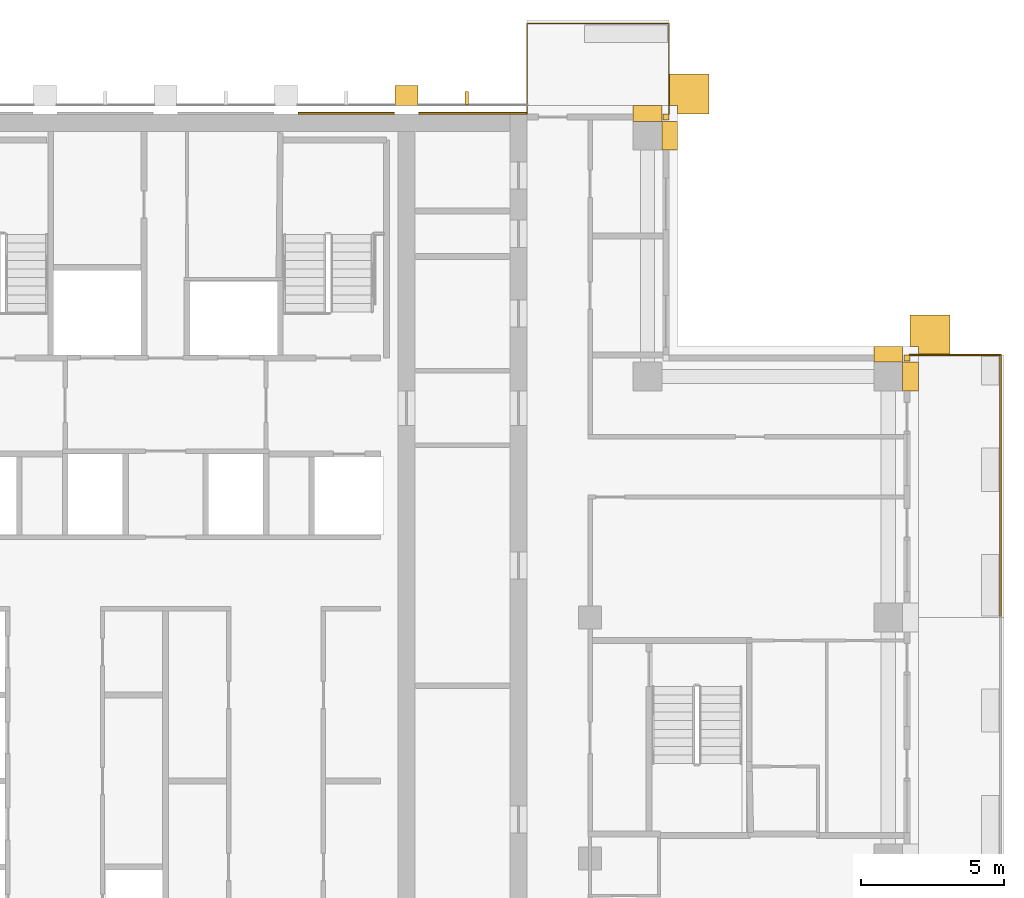
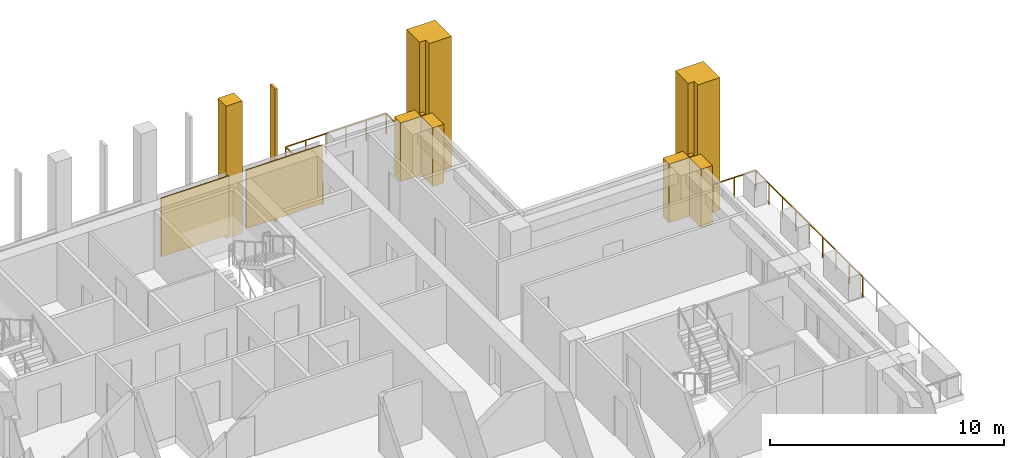
# One storey, part 17 of 17: 12 coverings, 2 railings.
"""IFC4 building model written with IfcOpenShell, lengths in metres."""

from ifc_helpers import new_model, si_unit, direction, frame, origin, origin_2d, place, context, subcontext, project, spatial, polyline, rectangle, outline, extrude, material, layer, layer_set, type_object, element, save


model = new_model("IFC4")

# Units and contexts
model_context = context("Model", 3, precision=1e-05, world=origin(), true_north=direction((0.0, 1.0)))
body_context = subcontext(model_context, "Body", "Model", "MODEL_VIEW")
ifc_project = project(units=[si_unit("LENGTHUNIT", "METRE"), si_unit("AREAUNIT", "SQUARE_METRE"), si_unit("VOLUMEUNIT", "CUBIC_METRE"), si_unit("PLANEANGLEUNIT", "RADIAN"), si_unit("MASSUNIT", "GRAM", prefix="KILO")], contexts=[model_context])

# Site, building, storey
site_placement = place(None, origin())
site = spatial("IfcSite", under=ifc_project, at=site_placement, CompositionType="ELEMENT")
building_placement = place(site_placement, origin())
building = spatial("IfcBuilding", under=site, at=building_placement, Name="Vermilion Ogive Tower", CompositionType="ELEMENT")
storey_placement = place(building_placement, frame((0.0, 0.0, 192.800048828125)))
storey = spatial("IfcBuildingStorey", under=building, at=storey_placement, Name="L50", CompositionType="ELEMENT", Elevation=192.800048828125)

# Railings
ifc_material_1 = material(Name="Stainless steel and glass", Category="steel")
railing_type = type_object("IfcRailingType", Name="Balcony guard", PredefinedType="GUARDRAIL", material=ifc_material_1)
railing_1_placement = place(storey_placement, frame((29.110107421875, 4.199951171875, -0.0400390625)))
element("IfcRailing", 1, at=railing_1_placement, inside=storey, type_object=railing_type, Name="Guard E03", PredefinedType="GUARDRAIL", context=body_context, shape_type="SweptSolid", body=[
    extrude(rectangle(XDim=0.048095703125, YDim=0.048095703125, at=origin_2d()), frame((0.0, 0.0, 1.076171875), z_axis=(0.0, 1.0, 0.0), x_axis=(-1.0, 0.0, 0.0)), (0.0, 0.0, 1.0), 9.150146484375),
    extrude(rectangle(XDim=0.048095703125, YDim=0.048095703125, at=origin_2d()), frame((0.0, 9.150146484375, 1.076171875), z_axis=(-1.0, 0.0, 0.0), x_axis=(0.0, -1.0, 0.0)), (0.0, 0.0, 1.0), 3.16015625),
    extrude(rectangle(XDim=0.0419921875, YDim=0.0419921875, at=origin_2d()), origin(), (0.0, 0.0, 1.0), 1.052001953125),
    extrude(rectangle(XDim=0.0419921875, YDim=0.0419921875, at=origin_2d()), frame((0.0, 1.143798828125, 0.0)), (0.0, 0.0, 1.0), 1.052001953125),
    extrude(rectangle(XDim=0.0419921875, YDim=0.0419921875, at=origin_2d()), frame((0.0, 2.28759765625, 0.0)), (0.0, 0.0, 1.0), 1.052001953125),
    extrude(rectangle(XDim=0.0419921875, YDim=0.0419921875, at=origin_2d()), frame((0.0, 3.431396484375, 0.0)), (0.0, 0.0, 1.0), 1.052001953125),
    extrude(rectangle(XDim=0.0419921875, YDim=0.0419921875, at=origin_2d()), frame((0.0, 4.5751953125, 0.0)), (0.0, 0.0, 1.0), 1.052001953125),
    extrude(rectangle(XDim=0.0419921875, YDim=0.0419921875, at=origin_2d()), frame((0.0, 5.71875, 0.0)), (0.0, 0.0, 1.0), 1.052001953125),
    extrude(rectangle(XDim=0.0419921875, YDim=0.0419921875, at=origin_2d()), frame((0.0, 6.862548828125, 0.0)), (0.0, 0.0, 1.0), 1.052001953125),
    extrude(rectangle(XDim=0.0419921875, YDim=0.0419921875, at=origin_2d()), frame((0.0, 8.00634765625, 0.0)), (0.0, 0.0, 1.0), 1.052001953125),
    extrude(rectangle(XDim=0.0419921875, YDim=0.0419921875, at=origin_2d()), frame((0.0, 9.150146484375, 0.0)), (0.0, 0.0, 1.0), 1.052001953125),
    extrude(rectangle(XDim=0.0419921875, YDim=0.0419921875, at=origin_2d()), frame((-1.053466796875, 9.150146484375, 0.0)), (0.0, 0.0, 1.0), 1.052001953125),
    extrude(rectangle(XDim=0.0419921875, YDim=0.0419921875, at=origin_2d()), frame((-2.106689453125, 9.150146484375, 0.0)), (0.0, 0.0, 1.0), 1.052001953125),
    extrude(rectangle(XDim=0.0419921875, YDim=0.0419921875, at=origin_2d()), frame((-3.16015625, 9.150146484375, 0.0)), (0.0, 0.0, 1.0), 1.052001953125),
])
railing_2_placement = place(storey_placement, frame((17.550048828125, 21.75, -0.0400390625)))
element("IfcRailing", 2, at=railing_2_placement, inside=storey, type_object=railing_type, Name="Guard N101", PredefinedType="GUARDRAIL", context=body_context, shape_type="SweptSolid", body=[
    extrude(rectangle(XDim=0.048095703125, YDim=0.048095703125, at=origin_2d()), frame((0.0, 0.0, 1.076171875), z_axis=(0.0, 1.0, 0.0), x_axis=(-1.0, 0.0, 0.0)), (0.0, 0.0, 1.0), 3.159912109375),
    extrude(rectangle(XDim=0.048095703125, YDim=0.048095703125, at=origin_2d()), frame((0.0, 3.159912109375, 1.076171875), z_axis=(-1.0, 0.0, 0.0), x_axis=(0.0, -1.0, 0.0)), (0.0, 0.0, 1.0), 4.949951171875),
    extrude(rectangle(XDim=0.048095703125, YDim=0.048095703125, at=origin_2d()), frame((-4.949951171875, 3.159912109375, 1.076171875), z_axis=(0.0, -1.0, 0.0), x_axis=(1.0, 0.0, 0.0)), (0.0, 0.0, 1.0), 3.159912109375),
    extrude(rectangle(XDim=0.0419921875, YDim=0.0419921875, at=origin_2d()), origin(), (0.0, 0.0, 1.0), 1.052001953125),
    extrude(rectangle(XDim=0.0419921875, YDim=0.0419921875, at=origin_2d()), frame((0.0, 1.05322265625, 0.0)), (0.0, 0.0, 1.0), 1.052001953125),
    extrude(rectangle(XDim=0.0419921875, YDim=0.0419921875, at=origin_2d()), frame((0.0, 2.106689453125, 0.0)), (0.0, 0.0, 1.0), 1.052001953125),
    extrude(rectangle(XDim=0.0419921875, YDim=0.0419921875, at=origin_2d()), frame((0.0, 3.159912109375, 0.0)), (0.0, 0.0, 1.0), 1.052001953125),
    extrude(rectangle(XDim=0.0419921875, YDim=0.0419921875, at=origin_2d()), frame((-0.989990234375, 3.159912109375, 0.0)), (0.0, 0.0, 1.0), 1.052001953125),
    extrude(rectangle(XDim=0.0419921875, YDim=0.0419921875, at=origin_2d()), frame((-1.97998046875, 3.159912109375, 0.0)), (0.0, 0.0, 1.0), 1.052001953125),
    extrude(rectangle(XDim=0.0419921875, YDim=0.0419921875, at=origin_2d()), frame((-2.969970703125, 3.159912109375, 0.0)), (0.0, 0.0, 1.0), 1.052001953125),
    extrude(rectangle(XDim=0.0419921875, YDim=0.0419921875, at=origin_2d()), frame((-3.9599609375, 3.159912109375, 0.0)), (0.0, 0.0, 1.0), 1.052001953125),
    extrude(rectangle(XDim=0.0419921875, YDim=0.0419921875, at=origin_2d()), frame((-4.949951171875, 3.159912109375, 0.0)), (0.0, 0.0, 1.0), 1.052001953125),
    extrude(rectangle(XDim=0.0419921875, YDim=0.0419921875, at=origin_2d()), frame((-4.949951171875, 2.106689453125, 0.0)), (0.0, 0.0, 1.0), 1.052001953125),
    extrude(rectangle(XDim=0.0419921875, YDim=0.0419921875, at=origin_2d()), frame((-4.949951171875, 1.05322265625, 0.0)), (0.0, 0.0, 1.0), 1.052001953125),
    extrude(rectangle(XDim=0.0419921875, YDim=0.0419921875, at=origin_2d()), frame((-4.949951171875, 0.0, 0.0)), (0.0, 0.0, 1.0), 1.052001953125),
])

# Coverings
ifc_material_2 = material(Name="Glazed ceramic screen")
ifc_layer = layer(ifc_material_2, 0.14990234375)
ifc_layer_set = layer_set([ifc_layer], Name="Ceramic solar screen fin")
covering_type_1 = type_object("IfcCoveringType", Name="Ceramic solar screen fin", PredefinedType="CLADDING", material=ifc_layer_set)
covering_1_placement = place(storey_placement, frame((0.0, 0.0, -0.400146484375)))
element("IfcCovering", 3, at=covering_1_placement, inside=storey, type_object=covering_type_1, Name="Solar screen blade N6", PredefinedType="CLADDING", context=body_context, shape_type="SweptSolid", body=[
    extrude(outline(polyline([(10.43994140625, 22.08203125), (10.56005859375, 22.08203125), (10.56005859375, 22.531982421875), (10.43994140625, 22.531982421875), (10.43994140625, 22.08203125)])), origin(), (0.0, 0.0, 1.0), 6.900146484375),
])
ifc_material_3 = material(Name="Stone cladding", Category="masonry")
covering_type_2 = type_object("IfcCoveringType", Name="Stone buttress pier", PredefinedType="CLADDING", material=ifc_material_3)
covering_2_placement = place(storey_placement, frame((0.0, 0.0, -0.400146484375)))
element("IfcCovering", 4, at=covering_2_placement, inside=storey, type_object=covering_type_2, Name="Stone buttress pier N5", PredefinedType="CLADDING", context=body_context, shape_type="SweptSolid", body=[
    extrude(outline(polyline([(8.800048828125, 22.75), (8.800048828125, 22.050048828125), (8.0, 22.050048828125), (8.0, 22.75), (8.800048828125, 22.75)])), origin(), (0.0, 0.0, 1.0), 6.900146484375),
])
ifc_material_4 = material(Name="Stone cladding", Category="masonry")
covering_type_3 = type_object("IfcCoveringType", Name="Stone cladding panel", PredefinedType="CLADDING", material=ifc_material_4)
covering_3_placement = place(storey_placement, origin())
element("IfcCovering", 5, at=covering_3_placement, inside=storey, type_object=covering_type_3, Name="Stone cladding panel N5", PredefinedType="CLADDING", context=body_context, shape_type="SweptSolid", body=[
    extrude(outline(polyline([(4.6298828125, 21.75), (7.969970703125, 21.75), (7.969970703125, 21.81005859375), (4.6298828125, 21.81005859375), (4.6298828125, 21.75)])), origin(), (0.0, 0.0, 1.0), 3.050048828125),
])
covering_4_placement = place(storey_placement, origin())
element("IfcCovering", 6, at=covering_4_placement, inside=storey, type_object=covering_type_3, Name="Stone cladding panel N6", PredefinedType="CLADDING", context=body_context, shape_type="SweptSolid", body=[
    extrude(outline(polyline([(8.830078125, 21.75), (12.590087890625, 21.75), (12.590087890625, 21.81005859375), (8.830078125, 21.81005859375), (8.830078125, 21.75)])), origin(), (0.0, 0.0, 1.0), 3.050048828125),
])
ifc_material_5 = material(Name="Stone cladding", Category="masonry")
covering_type_4 = type_object("IfcCoveringType", Name="Stone corner buttress", PredefinedType="CLADDING", material=ifc_material_5)
covering_5_placement = place(storey_placement, frame((0.0, 0.0, -0.400146484375)))
element("IfcCovering", 7, at=covering_5_placement, inside=storey, type_object=covering_type_4, Name="Stone corner buttress X31", PredefinedType="CLADDING", context=body_context, shape_type="SweptSolid", body=[
    extrude(outline(polyline([(27.35009765625, 13.35009765625), (26.25, 13.35009765625), (26.25, 13.64990234375), (25.949951171875, 13.64990234375), (25.949951171875, 14.75), (27.35009765625, 14.75), (27.35009765625, 13.35009765625)])), origin(), (0.0, 0.0, 1.0), 6.900146484375),
])
covering_6_placement = place(storey_placement, frame((0.0, 0.0, -0.400146484375)))
element("IfcCovering", 8, at=covering_6_placement, inside=storey, type_object=covering_type_4, Name="Stone corner buttress N11", PredefinedType="CLADDING", context=body_context, shape_type="SweptSolid", body=[
    extrude(outline(polyline([(17.85009765625, 22.050048828125), (17.550048828125, 22.050048828125), (17.550048828125, 23.14990234375), (18.949951171875, 23.14990234375), (18.949951171875, 21.75), (17.85009765625, 21.75), (17.85009765625, 22.050048828125)])), origin(), (0.0, 0.0, 1.0), 6.900146484375),
])
ifc_material_6 = material(Name="Stone cladding", Category="masonry")
covering_type_5 = type_object("IfcCoveringType", Name="Stone pier", PredefinedType="CLADDING", material=ifc_material_6)
covering_7_placement = place(storey_placement, origin())
element("IfcCovering", 9, at=covering_7_placement, inside=storey, type_object=covering_type_5, Name="Stone corner pier EE1", PredefinedType="CLADDING", context=body_context, shape_type="SweptSolid", body=[
    extrude(outline(polyline([(25.75, 13.14990234375), (25.75, 13.35009765625), (25.949951171875, 13.35009765625), (25.949951171875, 13.14990234375), (25.75, 13.14990234375)])), origin(), (0.0, 0.0, 1.0), 3.050048828125),
])
covering_8_placement = place(storey_placement, origin())
element("IfcCovering", 10, at=covering_8_placement, inside=storey, type_object=covering_type_5, Name="Stone corner pier X4E1", PredefinedType="CLADDING", context=body_context, shape_type="SweptSolid", body=[
    extrude(outline(polyline([(17.35009765625, 21.550048828125), (17.35009765625, 21.75), (17.550048828125, 21.75), (17.550048828125, 21.550048828125), (17.35009765625, 21.550048828125)])), origin(), (0.0, 0.0, 1.0), 3.050048828125),
])
covering_9_placement = place(storey_placement, origin())
element("IfcCovering", 11, at=covering_9_placement, inside=storey, type_object=covering_type_5, Name="Stone pier P+0168+210X4", PredefinedType="CLADDING", context=body_context, shape_type="SweptSolid", body=[
    extrude(outline(polyline([(17.85009765625, 21.5), (17.85009765625, 20.5), (17.300048828125, 20.5), (17.300048828125, 21.5), (17.85009765625, 21.5)])), origin(), (0.0, 0.0, 1.0), 3.050048828125),
])
covering_10_placement = place(storey_placement, origin())
element("IfcCovering", 12, at=covering_10_placement, inside=storey, type_object=covering_type_5, Name="Stone pier P+0168+210N1", PredefinedType="CLADDING", context=body_context, shape_type="SweptSolid", body=[
    extrude(outline(polyline([(17.300048828125, 22.050048828125), (17.300048828125, 21.5), (16.300048828125, 21.5), (16.300048828125, 22.050048828125), (17.300048828125, 22.050048828125)])), origin(), (0.0, 0.0, 1.0), 3.050048828125),
])
covering_11_placement = place(storey_placement, origin())
element("IfcCovering", 13, at=covering_11_placement, inside=storey, type_object=covering_type_5, Name="Stone pier P+0252+126E", PredefinedType="CLADDING", context=body_context, shape_type="SweptSolid", body=[
    extrude(outline(polyline([(26.25, 13.10009765625), (26.25, 12.10009765625), (25.699951171875, 12.10009765625), (25.699951171875, 13.10009765625), (26.25, 13.10009765625)])), origin(), (0.0, 0.0, 1.0), 3.050048828125),
])
covering_12_placement = place(storey_placement, origin())
element("IfcCovering", 14, at=covering_12_placement, inside=storey, type_object=covering_type_5, Name="Stone pier P+0252+126X3", PredefinedType="CLADDING", context=body_context, shape_type="SweptSolid", body=[
    extrude(outline(polyline([(25.699951171875, 13.64990234375), (25.699951171875, 13.10009765625), (24.699951171875, 13.10009765625), (24.699951171875, 13.64990234375), (25.699951171875, 13.64990234375)])), origin(), (0.0, 0.0, 1.0), 3.050048828125),
])

save(model, "model.ifc")
